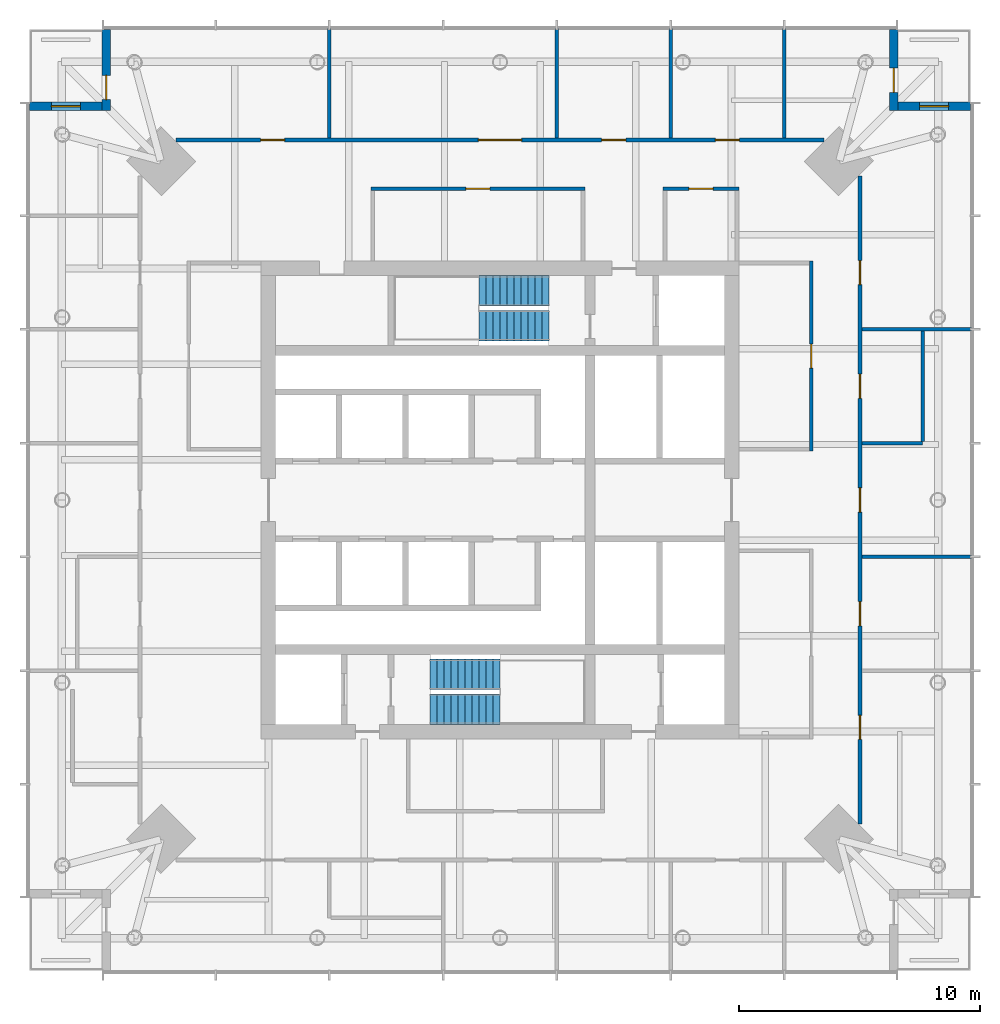
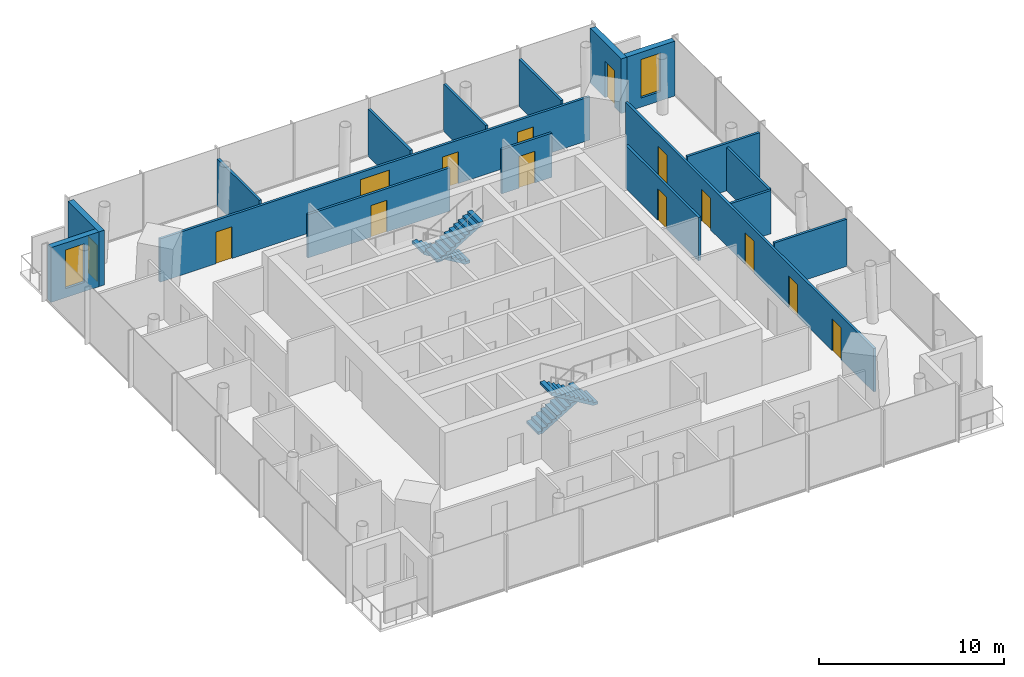
# One storey, part 6 of 7: 17 walls, 14 doors, 4 stair flights, 2 windows, 16 openings, 2 elements without a shape of their own.
"""IFC4 building model written with IfcOpenShell, lengths in metres."""

from ifc_helpers import new_model, si_unit, direction, frame, frame_2d, origin, place, context, subcontext, project, spatial, polyline, rectangle, outline, extrude, material, layer, layer_set, type_object, element, fill, aggregate, save


model = new_model("IFC4")

# Units and contexts
model_context = context("Model", 3, precision=1e-05, world=origin(), true_north=direction((0.0, 1.0)))
body_context = subcontext(model_context, "Body", "Model", "MODEL_VIEW")
ifc_project = project(units=[si_unit("LENGTHUNIT", "METRE"), si_unit("AREAUNIT", "SQUARE_METRE"), si_unit("VOLUMEUNIT", "CUBIC_METRE"), si_unit("PLANEANGLEUNIT", "RADIAN"), si_unit("MASSUNIT", "GRAM", prefix="KILO")], contexts=[model_context])

# Site, building, storey
site_placement = place(None, origin())
site = spatial("IfcSite", under=ifc_project, at=site_placement, CompositionType="ELEMENT")
building_placement = place(site_placement, origin())
building = spatial("IfcBuilding", under=site, at=building_placement, Name="Ostroluk Exchange", CompositionType="ELEMENT")
storey_placement = place(building_placement, frame((0.0, 0.0, 203.39990234375)))
storey = spatial("IfcBuildingStorey", under=building, at=storey_placement, Name="L52", CompositionType="ELEMENT", Elevation=203.39990234375)

# Wall, opening, door
ifc_material_1 = material(Name="Limestone", Category="masonry")
ifc_layer_1 = layer(ifc_material_1, 0.35009765625)
ifc_layer_set_1 = layer_set([ifc_layer_1], Name="Limestone facade wall 350")
wall_type_1 = type_object("IfcWallType", Name="Limestone facade wall 350", PredefinedType="SOLIDWALL", material=ifc_layer_set_1)
wall_1_placement = place(storey_placement, frame((61.324951171875, 65.5, 0.0), z_axis=(0.0, 0.0, 1.0), x_axis=(0.0, -1.0, 0.0)))
wall_1 = element("IfcWall", 1, at=wall_1_placement, inside=storey, type_object=wall_type_1, Name="Office tower NE corner wall L52 a", PredefinedType="SOLIDWALL", context=body_context, shape_type="SweptSolid", body=[
    extrude(rectangle(XDim=3.35009765625, YDim=0.35009765625, at=frame_2d((1.675048828125, 0.0))), origin(), (0.0, 0.0, 1.0), 3.6201171875),
])
opening_1_placement = place(wall_1_placement, frame((1.60009765625, 0.0, 0.0)))
opening_1 = element("IfcOpeningElement", 2, at=opening_1_placement, cuts=wall_1, Name="Opening D-B1", PredefinedType="OPENING", context=body_context, shape_type="SweptSolid", body=[
    extrude(rectangle(XDim=1.0, YDim=2.39990234375, at=frame_2d((0.5, 1.199951171875))), frame((0.0, 0.18505859375, 0.0), z_axis=(0.0, -1.0, 0.0), x_axis=(1.0, 0.0, 0.0)), (0.0, 0.0, 1.0), 0.3701171875),
])
ifc_material_2 = material(Name="Bronze framed glazed door", Category="aluminium")
door_type_1 = type_object("IfcDoorType", Name="Balcony door 1000 x 2400", OperationType="SINGLE_SWING_LEFT", PredefinedType="DOOR", material=ifc_material_2)
door_1_placement = place(opening_1_placement, origin())
door_1 = element("IfcDoor", 3, at=door_1_placement, inside=storey, type_object=door_type_1, Name="Office tower NE balcony door L52", OperationType="SINGLE_SWING_RIGHT", OverallHeight=2.39990234375, OverallWidth=1.0, PredefinedType="DOOR", context=body_context, shape_type="SweptSolid", body=[
    extrude(rectangle(XDim=1.0, YDim=2.39990234375, at=frame_2d((0.5, 1.199951171875))), frame((0.0, 0.02490234375, 0.0), z_axis=(0.0, -1.0, 0.0), x_axis=(1.0, 0.0, 0.0)), (0.0, 0.0, 1.0), 0.050048828125),
])
fill(opening_1, door_1)

# Wall, opening, window
wall_2_placement = place(storey_placement, frame((61.5, 62.324951171875, 0.0), z_axis=(0.0, 0.0, 1.0), x_axis=(1.0, 0.0, 0.0)))
wall_2 = element("IfcWall", 4, at=wall_2_placement, inside=storey, type_object=wall_type_1, Name="Office tower NE corner wall L52 b", PredefinedType="SOLIDWALL", context=body_context, shape_type="SweptSolid", body=[
    extrude(rectangle(XDim=3.0, YDim=0.35009765625, at=frame_2d((1.5, 0.0))), origin(), (0.0, 0.0, 1.0), 3.6201171875),
])
opening_2_placement = place(wall_2_placement, frame((0.89990234375, 0.0, 0.60009765625)))
opening_2 = element("IfcOpeningElement", 5, at=opening_2_placement, cuts=wall_2, Name="Opening WN-L1", PredefinedType="OPENING", context=body_context, shape_type="SweptSolid", body=[
    extrude(rectangle(XDim=1.199951171875, YDim=2.550048828125, at=frame_2d((0.60009765625, 1.27490234375))), frame((0.0, 0.18505859375, 0.0), z_axis=(0.0, -1.0, 0.0), x_axis=(1.0, 0.0, 0.0)), (0.0, 0.0, 1.0), 0.3701171875),
])
ifc_material_3 = material(Name="Laminated clear glass", Category="glass")
window_type = type_object("IfcWindowType", Name="Lancet window 1200 x 2550", PartitioningType="SINGLE_PANEL", PredefinedType="WINDOW", material=ifc_material_3)
window_1_placement = place(opening_2_placement, origin())
window_1 = element("IfcWindow", 6, at=window_1_placement, inside=storey, type_object=window_type, Name="Office tower NE lancet window L52", OverallHeight=2.550048828125, OverallWidth=1.199951171875, PartitioningType="SINGLE_PANEL", PredefinedType="WINDOW", context=body_context, shape_type="SweptSolid", body=[
    extrude(rectangle(XDim=1.199951171875, YDim=2.550048828125, at=frame_2d((0.60009765625, 1.27490234375))), frame((0.0, 0.030029296875, 0.0), z_axis=(0.0, -1.0, 0.0), x_axis=(1.0, 0.0, 0.0)), (0.0, 0.0, 1.0), 0.06005859375),
])
fill(opening_2, window_1)

# Wall, opening, door
wall_3_placement = place(storey_placement, frame((28.675048828125, 65.5, 0.0), z_axis=(0.0, 0.0, 1.0), x_axis=(0.0, -1.0, 0.0)))
wall_3 = element("IfcWall", 7, at=wall_3_placement, inside=storey, type_object=wall_type_1, Name="Office tower NW corner wall L52 a", PredefinedType="SOLIDWALL", context=body_context, shape_type="SweptSolid", body=[
    extrude(rectangle(XDim=3.35009765625, YDim=0.35009765625, at=frame_2d((1.675048828125, 0.0))), origin(), (0.0, 0.0, 1.0), 3.6201171875),
])
opening_3_placement = place(wall_3_placement, frame((1.89990234375, 0.0, 0.0)))
opening_3 = element("IfcOpeningElement", 8, at=opening_3_placement, cuts=wall_3, Name="Opening D-B1", PredefinedType="OPENING", context=body_context, shape_type="SweptSolid", body=[
    extrude(rectangle(XDim=1.0, YDim=2.39990234375, at=frame_2d((0.5, 1.199951171875))), frame((0.0, 0.18505859375, 0.0), z_axis=(0.0, -1.0, 0.0), x_axis=(1.0, 0.0, 0.0)), (0.0, 0.0, 1.0), 0.3701171875),
])
door_2_placement = place(opening_3_placement, origin())
door_2 = element("IfcDoor", 9, at=door_2_placement, inside=storey, type_object=door_type_1, Name="Office tower NW balcony door L52", OperationType="SINGLE_SWING_RIGHT", OverallHeight=2.39990234375, OverallWidth=1.0, PredefinedType="DOOR", context=body_context, shape_type="SweptSolid", body=[
    extrude(rectangle(XDim=1.0, YDim=2.39990234375, at=frame_2d((0.5, 1.199951171875))), frame((0.0, 0.02490234375, 0.0), z_axis=(0.0, -1.0, 0.0), x_axis=(1.0, 0.0, 0.0)), (0.0, 0.0, 1.0), 0.050048828125),
])
fill(opening_3, door_2)

# Wall, opening, window
wall_4_placement = place(storey_placement, frame((28.5, 62.324951171875, 0.0), z_axis=(0.0, 0.0, 1.0), x_axis=(-1.0, 0.0, 0.0)))
wall_4 = element("IfcWall", 10, at=wall_4_placement, inside=storey, type_object=wall_type_1, Name="Office tower NW corner wall L52 b", PredefinedType="SOLIDWALL", context=body_context, shape_type="SweptSolid", body=[
    extrude(rectangle(XDim=3.0, YDim=0.35009765625, at=frame_2d((1.5, 0.0))), origin(), (0.0, 0.0, 1.0), 3.6201171875),
])
opening_4_placement = place(wall_4_placement, frame((0.89990234375, 0.0, 0.60009765625)))
opening_4 = element("IfcOpeningElement", 11, at=opening_4_placement, cuts=wall_4, Name="Opening WN-L1", PredefinedType="OPENING", context=body_context, shape_type="SweptSolid", body=[
    extrude(rectangle(XDim=1.199951171875, YDim=2.550048828125, at=frame_2d((0.60009765625, 1.27490234375))), frame((0.0, 0.18505859375, 0.0), z_axis=(0.0, -1.0, 0.0), x_axis=(1.0, 0.0, 0.0)), (0.0, 0.0, 1.0), 0.3701171875),
])
window_2_placement = place(opening_4_placement, origin())
window_2 = element("IfcWindow", 12, at=window_2_placement, inside=storey, type_object=window_type, Name="Office tower NW lancet window L52", OverallHeight=2.550048828125, OverallWidth=1.199951171875, PartitioningType="SINGLE_PANEL", PredefinedType="WINDOW", context=body_context, shape_type="SweptSolid", body=[
    extrude(rectangle(XDim=1.199951171875, YDim=2.550048828125, at=frame_2d((0.60009765625, 1.27490234375))), frame((0.0, 0.030029296875, 0.0), z_axis=(0.0, -1.0, 0.0), x_axis=(1.0, 0.0, 0.0)), (0.0, 0.0, 1.0), 0.06005859375),
])
fill(opening_4, window_2)

# Wall, opening, door
ifc_material_4 = material(Name="Gypsum plasterboard partition", Category="gypsum")
ifc_layer_2 = layer(ifc_material_4, 0.14990234375)
ifc_layer_set_2 = layer_set([ifc_layer_2], Name="Plasterboard partition 150")
wall_type_2 = type_object("IfcWallType", Name="Plasterboard partition 150", PredefinedType="PARTITIONING", material=ifc_layer_set_2)
wall_5_placement = place(storey_placement, frame((57.89990234375, 48.02490234375, 0.0), z_axis=(0.0, 0.0, 1.0), x_axis=(0.0, 1.0, 0.0)))
wall_5 = element("IfcWall", 13, at=wall_5_placement, inside=storey, type_object=wall_type_2, Name="Partition", PredefinedType="PARTITIONING", context=body_context, shape_type="SweptSolid", body=[
    extrude(rectangle(XDim=7.875, YDim=0.14990234375, at=frame_2d((3.9375, 0.0))), origin(), (0.0, 0.0, 1.0), 2.8671875),
])
opening_5_placement = place(wall_5_placement, frame((3.4375, 0.0, 0.0)))
opening_5 = element("IfcOpeningElement", 14, at=opening_5_placement, cuts=wall_5, Name="Opening D-03", PredefinedType="OPENING", context=body_context, shape_type="SweptSolid", body=[
    extrude(rectangle(XDim=1.0, YDim=2.10009765625, at=frame_2d((0.5, 1.050048828125))), frame((0.0, 0.0849609375, 0.0), z_axis=(0.0, -1.0, 0.0), x_axis=(1.0, 0.0, 0.0)), (0.0, 0.0, 1.0), 0.169921875),
])
ifc_material_5 = material(Name="Timber", Category="wood")
door_type_2 = type_object("IfcDoorType", Name="Internal door 1000 x 2100", OperationType="SINGLE_SWING_LEFT", PredefinedType="DOOR", material=ifc_material_5)
door_3_placement = place(opening_5_placement, origin())
door_3 = element("IfcDoor", 15, at=door_3_placement, inside=storey, type_object=door_type_2, Name="Meeting room door", OperationType="SINGLE_SWING_LEFT", OverallHeight=2.10009765625, OverallWidth=1.0, PredefinedType="DOOR", context=body_context, shape_type="SweptSolid", body=[
    extrude(rectangle(XDim=1.0, YDim=2.10009765625, at=frame_2d((0.5, 1.050048828125))), frame((0.0, 0.02490234375, 0.0), z_axis=(0.0, -1.0, 0.0), x_axis=(1.0, 0.0, 0.0)), (0.0, 0.0, 1.0), 0.050048828125),
])
fill(opening_5, door_3)

wall_6_placement = place(storey_placement, frame((54.89990234375, 58.89990234375, 0.0), z_axis=(0.0, 0.0, 1.0), x_axis=(-1.0, 0.0, 0.0)))
wall_6 = element("IfcWall", 16, at=wall_6_placement, inside=storey, type_object=wall_type_2, Name="Partition", PredefinedType="PARTITIONING", context=body_context, shape_type="SweptSolid", body=[
    extrude(rectangle(XDim=3.135009765625, YDim=0.14990234375, at=frame_2d((1.5673828125, 0.0))), origin(), (0.0, 0.0, 1.0), 2.920166015625),
])
opening_6_placement = place(wall_6_placement, frame((1.0673828125, 0.0, 0.0)))
opening_6 = element("IfcOpeningElement", 17, at=opening_6_placement, cuts=wall_6, Name="Opening D-03", PredefinedType="OPENING", context=body_context, shape_type="SweptSolid", body=[
    extrude(rectangle(XDim=1.0, YDim=2.10009765625, at=frame_2d((0.5, 1.050048828125))), frame((0.0, 0.0849609375, 0.0), z_axis=(0.0, -1.0, 0.0), x_axis=(1.0, 0.0, 0.0)), (0.0, 0.0, 1.0), 0.169921875),
])
door_4_placement = place(opening_6_placement, origin())
door_4 = element("IfcDoor", 18, at=door_4_placement, inside=storey, type_object=door_type_2, Name="Meeting room door", OperationType="SINGLE_SWING_RIGHT", OverallHeight=2.10009765625, OverallWidth=1.0, PredefinedType="DOOR", context=body_context, shape_type="SweptSolid", body=[
    extrude(rectangle(XDim=1.0, YDim=2.10009765625, at=frame_2d((0.5, 1.050048828125))), frame((0.0, 0.02490234375, 0.0), z_axis=(0.0, -1.0, 0.0), x_axis=(1.0, 0.0, 0.0)), (0.0, 0.0, 1.0), 0.050048828125),
])
fill(opening_6, door_4)

wall_7_placement = place(storey_placement, frame((48.514892578125, 58.89990234375, 0.0), z_axis=(0.0, 0.0, 1.0), x_axis=(-1.0, 0.0, 0.0)))
wall_7 = element("IfcWall", 19, at=wall_7_placement, inside=storey, type_object=wall_type_2, Name="Partition", PredefinedType="PARTITIONING", context=body_context, shape_type="SweptSolid", body=[
    extrude(rectangle(XDim=8.864990234375, YDim=0.14990234375, at=frame_2d((4.4326171875, 0.0))), origin(), (0.0, 0.0, 1.0), 2.8671875),
])
opening_7_placement = place(wall_7_placement, frame((3.9326171875, 0.0, 0.0)))
opening_7 = element("IfcOpeningElement", 20, at=opening_7_placement, cuts=wall_7, Name="Opening D-03", PredefinedType="OPENING", context=body_context, shape_type="SweptSolid", body=[
    extrude(rectangle(XDim=1.0, YDim=2.10009765625, at=frame_2d((0.5, 1.050048828125))), frame((0.0, 0.0849609375, 0.0), z_axis=(0.0, -1.0, 0.0), x_axis=(1.0, 0.0, 0.0)), (0.0, 0.0, 1.0), 0.169921875),
])
door_5_placement = place(opening_7_placement, origin())
door_5 = element("IfcDoor", 21, at=door_5_placement, inside=storey, type_object=door_type_2, Name="Meeting room door", OperationType="SINGLE_SWING_LEFT", OverallHeight=2.10009765625, OverallWidth=1.0, PredefinedType="DOOR", context=body_context, shape_type="SweptSolid", body=[
    extrude(rectangle(XDim=1.0, YDim=2.10009765625, at=frame_2d((0.5, 1.050048828125))), frame((0.0, 0.02490234375, 0.0), z_axis=(0.0, -1.0, 0.0), x_axis=(1.0, 0.0, 0.0)), (0.0, 0.0, 1.0), 0.050048828125),
])
fill(opening_7, door_5)

# Wall
wall_8_placement = place(storey_placement, frame((62.52490234375, 48.43212890625, 0.0), z_axis=(0.0, 0.0, 1.0), x_axis=(0.0, 1.0, 0.0)))
element("IfcWall", 22, at=wall_8_placement, inside=storey, type_object=wall_type_2, Name="Partition", PredefinedType="PARTITIONING", context=body_context, shape_type="SweptSolid", body=[
    extrude(rectangle(XDim=4.564208984375, YDim=0.14990234375, at=frame_2d((2.2822265625, 0.0))), origin(), (0.0, 0.0, 1.0), 2.8671875),
])

# Wall, openings, doors
wall_9_placement = place(storey_placement, frame((59.925048828125, 32.564208984375, 0.0), z_axis=(0.0, 0.0, 1.0), x_axis=(0.0, 1.0, 0.0)))
wall_9 = element("IfcWall", 23, at=wall_9_placement, inside=storey, type_object=wall_type_2, Name="Partition", PredefinedType="PARTITIONING", context=body_context, shape_type="SweptSolid", body=[
    extrude(rectangle(XDim=26.87158203125, YDim=0.14990234375, at=frame_2d((13.435791015625, 0.0))), origin(), (0.0, 0.0, 1.0), 2.8671875),
])
opening_8_placement = place(wall_9_placement, frame((3.50732421875, 0.0, 0.0)))
opening_8 = element("IfcOpeningElement", 24, at=opening_8_placement, cuts=wall_9, Name="Opening D-03", PredefinedType="OPENING", context=body_context, shape_type="SweptSolid", body=[
    extrude(rectangle(XDim=1.0, YDim=2.10009765625, at=frame_2d((0.5, 1.050048828125))), frame((0.0, 0.0849609375, 0.0), z_axis=(0.0, -1.0, 0.0), x_axis=(1.0, 0.0, 0.0)), (0.0, 0.0, 1.0), 0.169921875),
])
opening_9_placement = place(wall_9_placement, frame((8.221435546875, 0.0, 0.0)))
opening_9 = element("IfcOpeningElement", 25, at=opening_9_placement, cuts=wall_9, Name="Opening D-03", PredefinedType="OPENING", context=body_context, shape_type="SweptSolid", body=[
    extrude(rectangle(XDim=1.0, YDim=2.10009765625, at=frame_2d((0.5, 1.050048828125))), frame((0.0, 0.0849609375, 0.0), z_axis=(0.0, -1.0, 0.0), x_axis=(1.0, 0.0, 0.0)), (0.0, 0.0, 1.0), 0.169921875),
])
opening_10_placement = place(wall_9_placement, frame((12.935791015625, 0.0, 0.0)))
opening_10 = element("IfcOpeningElement", 26, at=opening_10_placement, cuts=wall_9, Name="Opening D-03", PredefinedType="OPENING", context=body_context, shape_type="SweptSolid", body=[
    extrude(rectangle(XDim=1.0, YDim=2.10009765625, at=frame_2d((0.5, 1.050048828125))), frame((0.0, 0.0849609375, 0.0), z_axis=(0.0, -1.0, 0.0), x_axis=(1.0, 0.0, 0.0)), (0.0, 0.0, 1.0), 0.169921875),
])
opening_11_placement = place(wall_9_placement, frame((17.650146484375, 0.0, 0.0)))
opening_11 = element("IfcOpeningElement", 27, at=opening_11_placement, cuts=wall_9, Name="Opening D-03", PredefinedType="OPENING", context=body_context, shape_type="SweptSolid", body=[
    extrude(rectangle(XDim=1.0, YDim=2.10009765625, at=frame_2d((0.5, 1.050048828125))), frame((0.0, 0.0849609375, 0.0), z_axis=(0.0, -1.0, 0.0), x_axis=(1.0, 0.0, 0.0)), (0.0, 0.0, 1.0), 0.169921875),
])
opening_12_placement = place(wall_9_placement, frame((22.3642578125, 0.0, 0.0)))
opening_12 = element("IfcOpeningElement", 28, at=opening_12_placement, cuts=wall_9, Name="Opening D-03", PredefinedType="OPENING", context=body_context, shape_type="SweptSolid", body=[
    extrude(rectangle(XDim=1.0, YDim=2.10009765625, at=frame_2d((0.5, 1.050048828125))), frame((0.0, 0.0849609375, 0.0), z_axis=(0.0, -1.0, 0.0), x_axis=(1.0, 0.0, 0.0)), (0.0, 0.0, 1.0), 0.169921875),
])
door_6_placement = place(opening_8_placement, origin())
door_6 = element("IfcDoor", 29, at=door_6_placement, inside=storey, type_object=door_type_2, Name="Office suite door", OperationType="SINGLE_SWING_LEFT", OverallHeight=2.10009765625, OverallWidth=1.0, PredefinedType="DOOR", context=body_context, shape_type="SweptSolid", body=[
    extrude(rectangle(XDim=1.0, YDim=2.10009765625, at=frame_2d((0.5, 1.050048828125))), frame((0.0, 0.02490234375, 0.0), z_axis=(0.0, -1.0, 0.0), x_axis=(1.0, 0.0, 0.0)), (0.0, 0.0, 1.0), 0.050048828125),
])
fill(opening_8, door_6)
door_7_placement = place(opening_9_placement, origin())
door_7 = element("IfcDoor", 30, at=door_7_placement, inside=storey, type_object=door_type_2, Name="Meeting room door", OperationType="SINGLE_SWING_LEFT", OverallHeight=2.10009765625, OverallWidth=1.0, PredefinedType="DOOR", context=body_context, shape_type="SweptSolid", body=[
    extrude(rectangle(XDim=1.0, YDim=2.10009765625, at=frame_2d((0.5, 1.050048828125))), frame((0.0, 0.02490234375, 0.0), z_axis=(0.0, -1.0, 0.0), x_axis=(1.0, 0.0, 0.0)), (0.0, 0.0, 1.0), 0.050048828125),
])
fill(opening_9, door_7)
door_8_placement = place(opening_10_placement, origin())
door_8 = element("IfcDoor", 31, at=door_8_placement, inside=storey, type_object=door_type_2, Name="Office door", OperationType="SINGLE_SWING_LEFT", OverallHeight=2.10009765625, OverallWidth=1.0, PredefinedType="DOOR", context=body_context, shape_type="SweptSolid", body=[
    extrude(rectangle(XDim=1.0, YDim=2.10009765625, at=frame_2d((0.5, 1.050048828125))), frame((0.0, 0.02490234375, 0.0), z_axis=(0.0, -1.0, 0.0), x_axis=(1.0, 0.0, 0.0)), (0.0, 0.0, 1.0), 0.050048828125),
])
fill(opening_10, door_8)
door_9_placement = place(opening_11_placement, origin())
door_9 = element("IfcDoor", 32, at=door_9_placement, inside=storey, type_object=door_type_2, Name="Pantry door", OperationType="SINGLE_SWING_RIGHT", OverallHeight=2.10009765625, OverallWidth=1.0, PredefinedType="DOOR", context=body_context, shape_type="SweptSolid", body=[
    extrude(rectangle(XDim=1.0, YDim=2.10009765625, at=frame_2d((0.5, 1.050048828125))), frame((0.0, 0.02490234375, 0.0), z_axis=(0.0, -1.0, 0.0), x_axis=(1.0, 0.0, 0.0)), (0.0, 0.0, 1.0), 0.050048828125),
])
fill(opening_11, door_9)
door_10_placement = place(opening_12_placement, origin())
door_10 = element("IfcDoor", 33, at=door_10_placement, inside=storey, type_object=door_type_2, Name="Office door", OperationType="SINGLE_SWING_RIGHT", OverallHeight=2.10009765625, OverallWidth=1.0, PredefinedType="DOOR", context=body_context, shape_type="SweptSolid", body=[
    extrude(rectangle(XDim=1.0, YDim=2.10009765625, at=frame_2d((0.5, 1.050048828125))), frame((0.0, 0.02490234375, 0.0), z_axis=(0.0, -1.0, 0.0), x_axis=(1.0, 0.0, 0.0)), (0.0, 0.0, 1.0), 0.050048828125),
])
fill(opening_12, door_10)

# Walls
wall_10_placement = place(storey_placement, frame((60.0, 43.642822265625, 0.0), z_axis=(0.0, 0.0, 1.0), x_axis=(1.0, 0.0, 0.0)))
element("IfcWall", 34, at=wall_10_placement, inside=storey, type_object=wall_type_2, Name="Partition", PredefinedType="PARTITIONING", context=body_context, shape_type="SweptSolid", body=[
    extrude(rectangle(XDim=4.5400390625, YDim=0.14990234375, at=frame_2d((2.27001953125, 0.0))), origin(), (0.0, 0.0, 1.0), 3.1201171875),
])
wall_11_placement = place(storey_placement, frame((60.0, 48.357177734375, 0.0), z_axis=(0.0, 0.0, 1.0), x_axis=(1.0, 0.0, 0.0)))
element("IfcWall", 35, at=wall_11_placement, inside=storey, type_object=wall_type_2, Name="Partition", PredefinedType="PARTITIONING", context=body_context, shape_type="SweptSolid", body=[
    extrude(rectangle(XDim=2.52490234375, YDim=0.14990234375, at=frame_2d((1.262451171875, 0.0))), origin(), (0.0, 0.0, 1.0), 2.8671875),
])
wall_12_placement = place(storey_placement, frame((60.0, 53.071533203125, 0.0), z_axis=(0.0, 0.0, 1.0), x_axis=(1.0, 0.0, 0.0)))
element("IfcWall", 36, at=wall_12_placement, inside=storey, type_object=wall_type_2, Name="Partition", PredefinedType="PARTITIONING", context=body_context, shape_type="SweptSolid", body=[
    extrude(rectangle(XDim=4.5400390625, YDim=0.14990234375, at=frame_2d((2.27001953125, 0.0))), origin(), (0.0, 0.0, 1.0), 3.1201171875),
])

# Wall, openings, doors
wall_13_placement = place(storey_placement, frame((58.435791015625, 60.925048828125, 0.0), z_axis=(0.0, 0.0, 1.0), x_axis=(-1.0, 0.0, 0.0)))
wall_13 = element("IfcWall", 37, at=wall_13_placement, inside=storey, type_object=wall_type_2, Name="Partition", PredefinedType="PARTITIONING", context=body_context, shape_type="SweptSolid", body=[
    extrude(rectangle(XDim=26.87158203125, YDim=0.14990234375, at=frame_2d((13.435791015625, 0.0))), origin(), (0.0, 0.0, 1.0), 2.8671875),
])
opening_13_placement = place(wall_13_placement, frame((3.50732421875, 0.0, 0.0)))
opening_13 = element("IfcOpeningElement", 38, at=opening_13_placement, cuts=wall_13, Name="Opening D-03", PredefinedType="OPENING", context=body_context, shape_type="SweptSolid", body=[
    extrude(rectangle(XDim=1.0, YDim=2.10009765625, at=frame_2d((0.5, 1.050048828125))), frame((0.0, 0.0849609375, 0.0), z_axis=(0.0, -1.0, 0.0), x_axis=(1.0, 0.0, 0.0)), (0.0, 0.0, 1.0), 0.169921875),
])
opening_14_placement = place(wall_13_placement, frame((8.221435546875, 0.0, 0.0)))
opening_14 = element("IfcOpeningElement", 39, at=opening_14_placement, cuts=wall_13, Name="Opening D-03", PredefinedType="OPENING", context=body_context, shape_type="SweptSolid", body=[
    extrude(rectangle(XDim=1.0, YDim=2.10009765625, at=frame_2d((0.5, 1.050048828125))), frame((0.0, 0.0849609375, 0.0), z_axis=(0.0, -1.0, 0.0), x_axis=(1.0, 0.0, 0.0)), (0.0, 0.0, 1.0), 0.169921875),
])
opening_15_placement = place(wall_13_placement, frame((12.535888671875, 0.0, 0.0)))
opening_15 = element("IfcOpeningElement", 40, at=opening_15_placement, cuts=wall_13, Name="Opening D-04", PredefinedType="OPENING", context=body_context, shape_type="SweptSolid", body=[
    extrude(rectangle(XDim=1.800048828125, YDim=2.39990234375, at=frame_2d((0.89990234375, 1.199951171875))), frame((0.0, 0.0849609375, 0.0), z_axis=(0.0, -1.0, 0.0), x_axis=(1.0, 0.0, 0.0)), (0.0, 0.0, 1.0), 0.169921875),
])
opening_16_placement = place(wall_13_placement, frame((22.3642578125, 0.0, 0.0)))
opening_16 = element("IfcOpeningElement", 41, at=opening_16_placement, cuts=wall_13, Name="Opening D-03", PredefinedType="OPENING", context=body_context, shape_type="SweptSolid", body=[
    extrude(rectangle(XDim=1.0, YDim=2.10009765625, at=frame_2d((0.5, 1.050048828125))), frame((0.0, 0.0849609375, 0.0), z_axis=(0.0, -1.0, 0.0), x_axis=(1.0, 0.0, 0.0)), (0.0, 0.0, 1.0), 0.169921875),
])
ifc_material_6 = material(Name="Timber", Category="wood")
door_type_3 = type_object("IfcDoorType", Name="Double door 1800 x 2400", OperationType="DOUBLE_DOOR_SINGLE_SWING", PredefinedType="DOOR", material=ifc_material_6)
door_11_placement = place(opening_15_placement, origin())
door_11 = element("IfcDoor", 42, at=door_11_placement, inside=storey, type_object=door_type_3, Name="Boardroom door", OperationType="DOUBLE_DOOR_SINGLE_SWING", OverallHeight=2.39990234375, OverallWidth=1.800048828125, PredefinedType="DOOR", context=body_context, shape_type="SweptSolid", body=[
    extrude(rectangle(XDim=1.800048828125, YDim=2.39990234375, at=frame_2d((0.89990234375, 1.199951171875))), frame((0.0, 0.02490234375, 0.0), z_axis=(0.0, -1.0, 0.0), x_axis=(1.0, 0.0, 0.0)), (0.0, 0.0, 1.0), 0.050048828125),
])
fill(opening_15, door_11)
door_12_placement = place(opening_13_placement, origin())
door_12 = element("IfcDoor", 43, at=door_12_placement, inside=storey, type_object=door_type_2, Name="Office door", OperationType="SINGLE_SWING_LEFT", OverallHeight=2.10009765625, OverallWidth=1.0, PredefinedType="DOOR", context=body_context, shape_type="SweptSolid", body=[
    extrude(rectangle(XDim=1.0, YDim=2.10009765625, at=frame_2d((0.5, 1.050048828125))), frame((0.0, 0.02490234375, 0.0), z_axis=(0.0, -1.0, 0.0), x_axis=(1.0, 0.0, 0.0)), (0.0, 0.0, 1.0), 0.050048828125),
])
fill(opening_13, door_12)
door_13_placement = place(opening_14_placement, origin())
door_13 = element("IfcDoor", 44, at=door_13_placement, inside=storey, type_object=door_type_2, Name="Office door", OperationType="SINGLE_SWING_LEFT", OverallHeight=2.10009765625, OverallWidth=1.0, PredefinedType="DOOR", context=body_context, shape_type="SweptSolid", body=[
    extrude(rectangle(XDim=1.0, YDim=2.10009765625, at=frame_2d((0.5, 1.050048828125))), frame((0.0, 0.02490234375, 0.0), z_axis=(0.0, -1.0, 0.0), x_axis=(1.0, 0.0, 0.0)), (0.0, 0.0, 1.0), 0.050048828125),
])
fill(opening_14, door_13)
door_14_placement = place(opening_16_placement, origin())
door_14 = element("IfcDoor", 45, at=door_14_placement, inside=storey, type_object=door_type_2, Name="Office door", OperationType="SINGLE_SWING_RIGHT", OverallHeight=2.10009765625, OverallWidth=1.0, PredefinedType="DOOR", context=body_context, shape_type="SweptSolid", body=[
    extrude(rectangle(XDim=1.0, YDim=2.10009765625, at=frame_2d((0.5, 1.050048828125))), frame((0.0, 0.02490234375, 0.0), z_axis=(0.0, -1.0, 0.0), x_axis=(1.0, 0.0, 0.0)), (0.0, 0.0, 1.0), 0.050048828125),
])
fill(opening_16, door_14)

# Walls
for number, where, z_axis, x_axis, name in (
    (46, (56.78564453125, 61.0, 0.0), (0.0, 0.0, 1.0), (0.0, 1.0, 0.0), "Partition"),
    (47, (52.071533203125, 61.0, 0.0), (0.0, 0.0, 1.0), (0.0, 1.0, 0.0), "Partition"),
    (48, (47.357177734375, 61.0, 0.0), (0.0, 0.0, 1.0), (0.0, 1.0, 0.0), "Partition"),
    (49, (37.928466796875, 61.0, 0.0), (0.0, 0.0, 1.0), (0.0, 1.0, 0.0), "Partition"),
):
    element("IfcWall", number, at=place(storey_placement, frame(where, z_axis=z_axis, x_axis=x_axis)), inside=storey, type_object=wall_type_2, Name=name, PredefinedType="PARTITIONING", context=body_context, shape_type="SweptSolid", body=[
        extrude(rectangle(XDim=4.5400390625, YDim=0.14990234375, at=frame_2d((2.27001953125, 0.0))), origin(), (0.0, 0.0, 1.0), 3.1201171875),
    ])

# Stair, stair flights
ifc_material_7 = material(Name="Concrete C30/37", Category="concrete")
stair_type = type_object("IfcStairType", Name="Exit stair half turn 3800", PredefinedType="HALF_TURN_STAIR", material=ifc_material_7)
stair_1_placement = place(storey_placement, origin())
stair_1 = element("IfcStair", 50, at=stair_1_placement, inside=storey, type_object=stair_type, Name="Stair T1-S1 L52", PredefinedType="HALF_TURN_STAIR")
ifc_material_8 = material(Name="Concrete C30/37", Category="concrete")
stair_flight_type = type_object("IfcStairFlightType", Name="Stair flight 11 risers 172.7 x 290", PredefinedType="STRAIGHT", material=ifc_material_8)
stair_flight_1_placement = place(storey_placement, frame((42.10009765625, 38.77490234375, 0.0), z_axis=(0.0, 0.0, 1.0), x_axis=(1.0, 0.0, 0.0)))
stair_flight_1 = element("IfcStairFlight", 51, at=stair_flight_1_placement, type_object=stair_flight_type, Name="T1-S1 flight 1", NumberOfRisers=11, NumberOfTreads=10, PredefinedType="STRAIGHT", RiserHeight=0.172727273, TreadLength=0.29, context=body_context, shape_type="SweptSolid", body=[
    extrude(outline(polyline([(0.0, 0.0), (0.0, 0.172607421875), (0.2900390625, 0.172607421875), (0.2900390625, 0.345458984375), (0.580078125, 0.345458984375), (0.580078125, 0.51806640625), (0.8701171875, 0.51806640625), (0.8701171875, 0.69091796875), (1.159912109375, 0.69091796875), (1.159912109375, 0.863525390625), (1.449951171875, 0.863525390625), (1.449951171875, 1.036376953125), (1.739990234375, 1.036376953125), (1.739990234375, 1.208984375), (2.030029296875, 1.208984375), (2.030029296875, 1.3818359375), (2.320068359375, 1.3818359375), (2.320068359375, 1.554443359375), (2.610107421875, 1.554443359375), (2.610107421875, 1.727294921875), (2.89990234375, 1.727294921875), (2.89990234375, 1.89990234375), (2.89990234375, 1.552734375), (0.29296875, 0.0), (0.0, 0.0)])), frame((0.0, 0.625, 0.0), z_axis=(0.0, -1.0, 0.0), x_axis=(1.0, 0.0, 0.0)), (0.0, 0.0, 1.0), 1.25),
])
stair_flight_2_placement = place(storey_placement, frame((45.0, 37.324951171875, 1.900146484375), z_axis=(0.0, 0.0, 1.0), x_axis=(-1.0, 0.0, 0.0)))
stair_flight_2 = element("IfcStairFlight", 52, at=stair_flight_2_placement, type_object=stair_flight_type, Name="T1-S1 flight 2", NumberOfRisers=11, NumberOfTreads=10, PredefinedType="STRAIGHT", RiserHeight=0.172727273, TreadLength=0.29, context=body_context, shape_type="SweptSolid", body=[
    extrude(outline(polyline([(0.0, 0.0), (0.0, 0.172607421875), (0.2900390625, 0.172607421875), (0.2900390625, 0.345458984375), (0.580078125, 0.345458984375), (0.580078125, 0.51806640625), (0.8701171875, 0.51806640625), (0.8701171875, 0.69091796875), (1.159912109375, 0.69091796875), (1.159912109375, 0.863525390625), (1.449951171875, 0.863525390625), (1.449951171875, 1.036376953125), (1.739990234375, 1.036376953125), (1.739990234375, 1.208984375), (2.030029296875, 1.208984375), (2.030029296875, 1.3818359375), (2.320068359375, 1.3818359375), (2.320068359375, 1.554443359375), (2.610107421875, 1.554443359375), (2.610107421875, 1.727294921875), (2.89990234375, 1.727294921875), (2.89990234375, 1.89990234375), (2.89990234375, 1.552734375), (0.29296875, 0.0), (0.0, 0.0)])), frame((0.0, 0.625, 0.0), z_axis=(0.0, -1.0, 0.0), x_axis=(1.0, 0.0, 0.0)), (0.0, 0.0, 1.0), 1.25),
])
aggregate(stair_1, [stair_flight_1, stair_flight_2])

stair_2_placement = place(storey_placement, origin())
stair_2 = element("IfcStair", 53, at=stair_2_placement, inside=storey, type_object=stair_type, Name="Stair T1-S2 L52", PredefinedType="HALF_TURN_STAIR")
stair_flight_3_placement = place(storey_placement, frame((47.030029296875, 54.675048828125, 0.0), z_axis=(0.0, 0.0, 1.0), x_axis=(-1.0, 0.0, 0.0)))
stair_flight_3 = element("IfcStairFlight", 54, at=stair_flight_3_placement, type_object=stair_flight_type, Name="T1-S2 flight 1", NumberOfRisers=11, NumberOfTreads=10, PredefinedType="STRAIGHT", RiserHeight=0.172727273, TreadLength=0.29, context=body_context, shape_type="SweptSolid", body=[
    extrude(outline(polyline([(0.0, 0.0), (0.0, 0.172607421875), (0.2900390625, 0.172607421875), (0.2900390625, 0.345458984375), (0.580078125, 0.345458984375), (0.580078125, 0.51806640625), (0.8701171875, 0.51806640625), (0.8701171875, 0.69091796875), (1.159912109375, 0.69091796875), (1.159912109375, 0.863525390625), (1.449951171875, 0.863525390625), (1.449951171875, 1.036376953125), (1.739990234375, 1.036376953125), (1.739990234375, 1.208984375), (2.030029296875, 1.208984375), (2.030029296875, 1.3818359375), (2.320068359375, 1.3818359375), (2.320068359375, 1.554443359375), (2.610107421875, 1.554443359375), (2.610107421875, 1.727294921875), (2.89990234375, 1.727294921875), (2.89990234375, 1.89990234375), (2.89990234375, 1.552734375), (0.29296875, 0.0), (0.0, 0.0)])), frame((0.0, 0.625, 0.0), z_axis=(0.0, -1.0, 0.0), x_axis=(1.0, 0.0, 0.0)), (0.0, 0.0, 1.0), 1.25),
])
stair_flight_4_placement = place(storey_placement, frame((44.1298828125, 53.22509765625, 1.900146484375), z_axis=(0.0, 0.0, 1.0), x_axis=(1.0, 0.0, 0.0)))
stair_flight_4 = element("IfcStairFlight", 55, at=stair_flight_4_placement, type_object=stair_flight_type, Name="T1-S2 flight 2", NumberOfRisers=11, NumberOfTreads=10, PredefinedType="STRAIGHT", RiserHeight=0.172727273, TreadLength=0.29, context=body_context, shape_type="SweptSolid", body=[
    extrude(outline(polyline([(0.0, 0.0), (0.0, 0.172607421875), (0.2900390625, 0.172607421875), (0.2900390625, 0.345458984375), (0.580078125, 0.345458984375), (0.580078125, 0.51806640625), (0.8701171875, 0.51806640625), (0.8701171875, 0.69091796875), (1.159912109375, 0.69091796875), (1.159912109375, 0.863525390625), (1.449951171875, 0.863525390625), (1.449951171875, 1.036376953125), (1.739990234375, 1.036376953125), (1.739990234375, 1.208984375), (2.030029296875, 1.208984375), (2.030029296875, 1.3818359375), (2.320068359375, 1.3818359375), (2.320068359375, 1.554443359375), (2.610107421875, 1.554443359375), (2.610107421875, 1.727294921875), (2.89990234375, 1.727294921875), (2.89990234375, 1.89990234375), (2.89990234375, 1.552734375), (0.29296875, 0.0), (0.0, 0.0)])), frame((0.0, 0.625, 0.0), z_axis=(0.0, -1.0, 0.0), x_axis=(1.0, 0.0, 0.0)), (0.0, 0.0, 1.0), 1.25),
])
aggregate(stair_2, [stair_flight_3, stair_flight_4])

save(model, "model.ifc")
